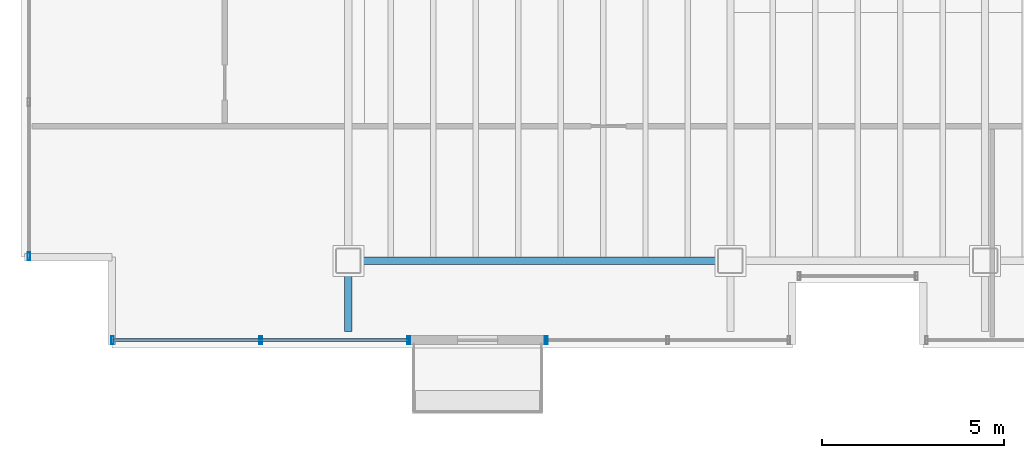
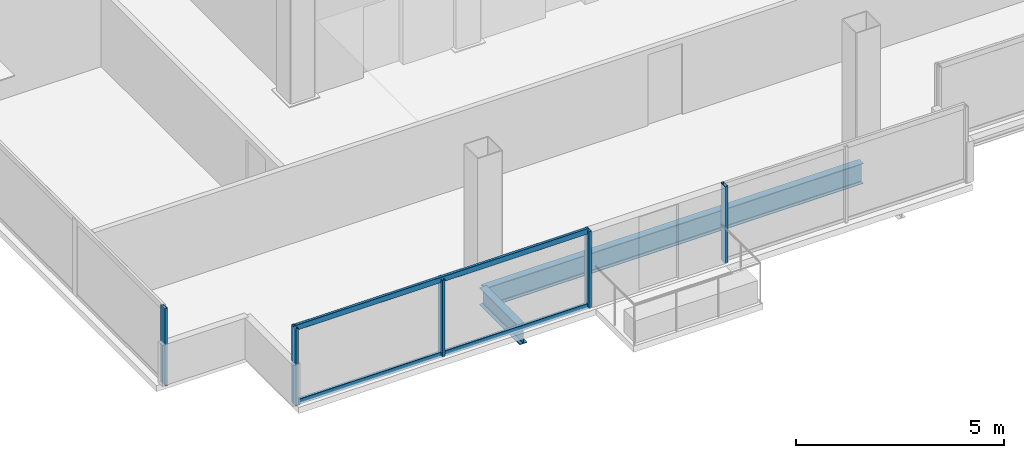
# One storey, part 2 of 16: 7 members, 2 beams, 3 elements without a shape of their own.
"""IFC4 building model written with IfcOpenShell, lengths in metres."""

import ifcopenshell
import ifcopenshell.guid

model = None  # the IFC model being written
_history = None  # IfcOwnerHistory: only IFC2X3 demands one
_inside = {}  # id of a spatial element -> (the spatial element, [elements in it])
_under = {}  # id of a project, library or spatial element -> (it, [spatial elements below it])
_declared = {}  # id of a project -> (the project, [libraries it declares])
_typed = {}  # id of a type object -> (the type object, [elements of that type])
_made_of = {}  # id of a material, layer set ... -> (it, [elements and type objects made of it])


def new_model(schema):
    """Start an empty IFC model of exactly this schema.

    Asked for "IFC4X3", IfcOpenShell would pick the latest addendum, in which some entities
    have other attributes; the version numbers below select the first issue.
    IFC2X3 requires an IfcOwnerHistory on every rooted entity: one is made here for all.
    """
    global model, _history
    if schema == "IFC4X3":
        model = ifcopenshell.file(schema_version=(4, 3, 0, 0))
    else:
        model = ifcopenshell.file(schema=schema)
    _inside.clear()
    _under.clear()
    _declared.clear()
    _typed.clear()
    _made_of.clear()
    _history = None
    if model.schema == "IFC2X3":
        org = make("IfcOrganization", Name="unknown")
        user = make(
            "IfcPersonAndOrganization",
            ThePerson=make("IfcPerson", FamilyName="unknown"),
            TheOrganization=org,
        )
        app = make(
            "IfcApplication",
            ApplicationDeveloper=org,
            Version="unknown",
            ApplicationFullName="unknown",
            ApplicationIdentifier="unknown",
        )
        _history = make(
            "IfcOwnerHistory",
            OwningUser=user,
            OwningApplication=app,
            ChangeAction="ADDED",
            CreationDate=0,
        )
    return model


def make(cls, **values):
    """One entity of the class cls with the attributes given. An attribute that is None is left unset."""
    return model.create_entity(
        cls, **{name: value for name, value in values.items() if value is not None}
    )


def rooted(cls, **values):
    """An entity with a GlobalId (a new one), such as an element, a storey or a relation."""
    return make(cls, GlobalId=ifcopenshell.guid.new(), OwnerHistory=_history, **values)


def si_unit(unit_type, name, prefix=None):
    """IfcSIUnit, for example si_unit("LENGTHUNIT", "METRE", prefix="MILLI")."""
    return make("IfcSIUnit", UnitType=unit_type, Prefix=prefix, Name=name)


def assignment(units):
    """IfcUnitAssignment: the units of a project."""
    return None if units is None else make("IfcUnitAssignment", Units=units)


def point(xyz):
    """IfcCartesianPoint."""
    return None if xyz is None else make("IfcCartesianPoint", Coordinates=xyz)


def direction(xyz):
    """IfcDirection."""
    return None if xyz is None else make("IfcDirection", DirectionRatios=xyz)


def frame(location, z_axis=None, x_axis=None):
    """IfcAxis2Placement3D, a coordinate frame: its origin and axes. An axis left out is left unset."""
    return make(
        "IfcAxis2Placement3D",
        Location=point(location),
        Axis=direction(z_axis),
        RefDirection=direction(x_axis),
    )


def frame_2d(location, x_axis=None):
    """IfcAxis2Placement2D, a coordinate frame in the plane: its origin and x axis."""
    return make(
        "IfcAxis2Placement2D", Location=point(location), RefDirection=direction(x_axis)
    )


def origin():
    """The frame at (0, 0, 0) with its axes left unset."""
    return frame((0.0, 0.0, 0.0))


def origin_2d():
    """The frame at (0, 0) in the plane with its x axis left unset."""
    return frame_2d((0.0, 0.0))


def place(relative_to, where):
    """IfcLocalPlacement: puts the frame where relative to a parent placement (None: the world)."""
    return make(
        "IfcLocalPlacement", PlacementRelTo=relative_to, RelativePlacement=where
    )


def context(
    kind, dimensions, precision=None, world=None, true_north=None, identifier=None
):
    """IfcGeometricRepresentationContext, for example the 3D "Model" context."""
    return make(
        "IfcGeometricRepresentationContext",
        ContextIdentifier=identifier,
        ContextType=kind,
        CoordinateSpaceDimension=dimensions,
        Precision=precision,
        WorldCoordinateSystem=world,
        TrueNorth=true_north,
    )


def subcontext(parent, identifier, kind, view, scale=None):
    """IfcGeometricRepresentationSubContext, for example "Body" below "Model"."""
    return make(
        "IfcGeometricRepresentationSubContext",
        ContextIdentifier=identifier,
        ContextType=kind,
        ParentContext=parent,
        TargetScale=scale,
        TargetView=view,
    )


def project(units=None, contexts=None):
    """IfcProject with its units and contexts."""
    return rooted(
        "IfcProject",
        Name="project",
        RepresentationContexts=contexts,
        UnitsInContext=assignment(units),
    )


def spatial(cls, under=None, at=None, **own):
    """A site, building, storey or space (cls), placed at a placement, below another one or the project."""
    s = rooted(cls, ObjectPlacement=at, **own)
    if under is not None:
        _under.setdefault(under.id(), (under, []))[1].append(s)
    return s


def profile(cls, at=None, kind="AREA", **sizes):
    """A parametric profile (cls). Its sizes go by their IFC names, for example OverallWidth=200.0."""
    return make(cls, ProfileType=kind, Position=at, **sizes)


def hollow_rectangle(**sizes):
    """IfcRectangleHollowProfileDef."""
    return profile("IfcRectangleHollowProfileDef", **sizes)


def i_section(**sizes):
    """IfcIShapeProfileDef."""
    return profile("IfcIShapeProfileDef", **sizes)


def extrude(swept, where, along, depth):
    """IfcExtrudedAreaSolid: the profile swept, set in the frame where, extruded along a direction by depth."""
    return make(
        "IfcExtrudedAreaSolid",
        SweptArea=swept,
        Position=where,
        ExtrudedDirection=direction(along),
        Depth=depth,
    )


def shape(context_of_items, identifier, shape_type, items):
    """IfcShapeRepresentation: the items that make up one representation, for example the "Body"."""
    return make(
        "IfcShapeRepresentation",
        ContextOfItems=context_of_items,
        RepresentationIdentifier=identifier,
        RepresentationType=shape_type,
        Items=items,
    )


def material(Name=None, Category=None):
    """IfcMaterial."""
    return make("IfcMaterial", Name=Name, Category=Category)


def material_profile(
    of_material, cross_section, Name=None, Category=None, Priority=None
):
    """IfcMaterialProfile: a cross section and its material."""
    return make(
        "IfcMaterialProfile",
        Name=Name,
        Material=of_material,
        Profile=cross_section,
        Priority=Priority,
        Category=Category,
    )


def profile_set(profiles, Name=None, composite=None):
    """IfcMaterialProfileSet."""
    return make(
        "IfcMaterialProfileSet",
        Name=Name,
        MaterialProfiles=profiles,
        CompositeProfile=composite,
    )


def made_of(thing, what):
    """Note that an element or type object is made of a material, layer set ...; save() writes the relation."""
    if what is not None:
        _made_of.setdefault(what.id(), (what, []))[1].append(thing)
    return thing


def type_object(cls, material=None, **own):
    """A type object (cls), such as IfcWallType, which elements share."""
    return made_of(rooted(cls, **own), material)


def element(
    cls,
    number,
    at=None,
    inside=None,
    cuts=None,
    type_object=None,
    material=None,
    context=None,
    identifier="Body",
    shape_type=None,
    held_by="IfcProductDefinitionShape",
    body=None,
    shapes=None,
    **own,
):
    """One element of the class cls, such as IfcWall. Its Tag is "e" and its number.

    at: its placement. inside: the storey or other place that contains it. cuts: it is an
    opening in that element (IfcRelVoidsElement). A single representation is given by context,
    identifier, shape_type and body (its items); several are given by shapes. held_by: the class
    of the entity that holds the representations. save() writes the other relations.
    """
    e = rooted(cls, Tag="e%d" % number, ObjectPlacement=at, **own)
    if body is not None:
        shapes = [shape(context, identifier, shape_type, body)]
    if shapes is not None:
        e.Representation = make(held_by, Representations=shapes)
    if inside is not None:
        _inside.setdefault(inside.id(), (inside, []))[1].append(e)
    if cuts is not None:
        rooted(
            "IfcRelVoidsElement", RelatingBuildingElement=cuts, RelatedOpeningElement=e
        )
    if type_object is not None:
        _typed.setdefault(type_object.id(), (type_object, []))[1].append(e)
    return made_of(e, material)


def aggregate(whole, parts):
    """IfcRelAggregates: a whole, such as a stair, and the parts it consists of."""
    return rooted("IfcRelAggregates", RelatingObject=whole, RelatedObjects=parts)


def save(model, path):
    """Write the relations noted so far, then the file.

    IfcRelAggregates (storeys below a building ...), IfcRelContainedInSpatialStructure (elements
    in a storey), IfcRelDefinesByType, IfcRelAssociatesMaterial and IfcRelDeclares: one each for
    every whole, place, type object, material and project.
    """
    for whole, parts in _under.values():
        aggregate(whole, parts)
    for where, things in _inside.values():
        rooted(
            "IfcRelContainedInSpatialStructure",
            RelatedElements=things,
            RelatingStructure=where,
        )
    for kind, things in _typed.values():
        rooted("IfcRelDefinesByType", RelatedObjects=things, RelatingType=kind)
    for what, things in _made_of.values():
        rooted("IfcRelAssociatesMaterial", RelatedObjects=things, RelatingMaterial=what)
    for by, libraries in _declared.values():
        rooted("IfcRelDeclares", RelatingContext=by, RelatedDefinitions=libraries)
    model.write(path)


model = new_model("IFC4")

# Units and contexts
model_context = context("Model", 3, precision=1e-05, world=origin(), true_north=direction((0.0, 1.0)))
body_context = subcontext(model_context, "Body", "Model", "MODEL_VIEW")
ifc_project = project(units=[si_unit("LENGTHUNIT", "METRE"), si_unit("AREAUNIT", "SQUARE_METRE"), si_unit("VOLUMEUNIT", "CUBIC_METRE"), si_unit("PLANEANGLEUNIT", "RADIAN"), si_unit("MASSUNIT", "GRAM", prefix="KILO")], contexts=[model_context])

# Site, building, storey
site_placement = place(None, origin())
site = spatial("IfcSite", under=ifc_project, at=site_placement, CompositionType="ELEMENT")
building_placement = place(site_placement, origin())
building = spatial("IfcBuilding", under=site, at=building_placement, Name="Noeulbin Bourse Tower", CompositionType="ELEMENT")
storey_placement = place(building_placement, frame((0.0, 0.0, 277.39990234375)))
storey = spatial("IfcBuildingStorey", under=building, at=storey_placement, Name="L69", CompositionType="ELEMENT", Elevation=277.39990234375)

# Beams
ifc_material_1 = material(Name="Steel S355", Category="steel")
ifc_material_profile_1 = material_profile(ifc_material_1, i_section(OverallWidth=0.199951171875, OverallDepth=0.5, WebThickness=0.010009765625, FlangeThickness=0.01611328125, FilletRadius=0.02001953125, at=origin_2d()), Name="H-500x200x10x16", Category="LoadBearing")
ifc_profile_set_1 = profile_set([ifc_material_profile_1], Name="Steel S355")
beam_type_1 = type_object("IfcBeamType", Name="BM-GRD-500", PredefinedType="USERDEFINED", material=ifc_profile_set_1)
beam_1_placement = place(storey_placement, frame((13.5, 18.050048828125, -0.429931640625), z_axis=(0.0, 1.0, 0.0), x_axis=(-1.0, 0.0, 0.0)))
element("IfcBeam", 1, at=beam_1_placement, inside=storey, type_object=beam_type_1, Name="Tower Primary Girder NS L69-1.1", ObjectType="GIRDER", PredefinedType="USERDEFINED", context=body_context, shape_type="SweptSolid", body=[
    extrude(i_section(OverallWidth=0.199951171875, OverallDepth=0.5, WebThickness=0.010009765625, FlangeThickness=0.01611328125, FilletRadius=0.02001953125, at=origin_2d()), origin(), (0.0, 0.0, 1.0), 1.949951171875),
])
ifc_material_profile_2 = material_profile(ifc_material_1, i_section(OverallWidth=0.199951171875, OverallDepth=0.60009765625, WebThickness=0.010986328125, FlangeThickness=0.01708984375, FilletRadius=0.02197265625, at=origin_2d()), Name="H-600x200x11x17", Category="LoadBearing")
ifc_profile_set_2 = profile_set([ifc_material_profile_2], Name="Steel S355")
beam_type_2 = type_object("IfcBeamType", Name="BM-GRD-600", PredefinedType="USERDEFINED", material=ifc_profile_set_2)
beam_2_placement = place(storey_placement, frame((13.5, 20.0, -0.47998046875), z_axis=(1.0, 0.0, 0.0), x_axis=(0.0, 1.0, 0.0)))
element("IfcBeam", 2, at=beam_2_placement, inside=storey, type_object=beam_type_2, Name="Tower Primary Girder EW L69-1.1", ObjectType="GIRDER", PredefinedType="USERDEFINED", context=body_context, shape_type="SweptSolid", body=[
    extrude(i_section(OverallWidth=0.199951171875, OverallDepth=0.60009765625, WebThickness=0.010986328125, FlangeThickness=0.01708984375, FilletRadius=0.02197265625, at=origin_2d()), origin(), (0.0, 0.0, 1.0), 10.5),
])

# Curtain wall, members
ifc_material_2 = material(Name="High-Selectivity Low-Iron Glazing", Category="glass")
curtain_wall_type = type_object("IfcCurtainWallType", Name="CW-SYS-4", PredefinedType="NOTDEFINED", material=ifc_material_2)
curtain_wall_1_placement = place(storey_placement, origin())
curtain_wall_1 = element("IfcCurtainWall", 3, at=curtain_wall_1_placement, inside=storey, type_object=curtain_wall_type, Name="Unitised Curtain Wall CW-L69-S1", PredefinedType="NOTDEFINED")
ifc_material_3 = material(Name="Anodised Aluminium 6063-T6", Category="aluminium")
ifc_material_profile_3 = material_profile(ifc_material_3, hollow_rectangle(XDim=0.074951171875, YDim=0.219970703125, WallThickness=0.0048828125, InnerFilletRadius=0.00244140625, OuterFilletRadius=0.0048828125, at=origin_2d()), Name="ALU-MULL-75x220x5", Category="LoadBearing")
ifc_profile_set_3 = profile_set([ifc_material_profile_3], Name="Anodised Aluminium 6063-T6")
member_type_1 = type_object("IfcMemberType", Name="CW-SYS-4-MUL", PredefinedType="MULLION", material=ifc_profile_set_3)
member_1_placement = place(storey_placement, frame((7.02001953125, 17.820068359375, -0.02001953125), z_axis=(0.0, 0.0, 1.0), x_axis=(1.0, 0.0, 0.0)))
member_1 = element("IfcMember", 4, at=member_1_placement, type_object=member_type_1, Name="Curtain Wall Mullion CW-L69-S1-M00", PredefinedType="MULLION", context=body_context, shape_type="SweptSolid", body=[
    extrude(hollow_rectangle(XDim=0.074951171875, YDim=0.219970703125, WallThickness=0.0048828125, InnerFilletRadius=0.00244140625, OuterFilletRadius=0.0048828125, at=origin_2d()), origin(), (0.0, 0.0, 1.0), 2.260009765625),
])
member_2_placement = place(storey_placement, frame((11.090087890625, 17.820068359375, -0.02001953125), z_axis=(0.0, 0.0, 1.0), x_axis=(1.0, 0.0, 0.0)))
member_2 = element("IfcMember", 5, at=member_2_placement, type_object=member_type_1, Name="Curtain Wall Mullion CW-L69-S1-M01", PredefinedType="MULLION", context=body_context, shape_type="SweptSolid", body=[
    extrude(hollow_rectangle(XDim=0.074951171875, YDim=0.219970703125, WallThickness=0.0048828125, InnerFilletRadius=0.00244140625, OuterFilletRadius=0.0048828125, at=origin_2d()), origin(), (0.0, 0.0, 1.0), 2.260009765625),
])
member_3_placement = place(storey_placement, frame((15.159912109375, 17.820068359375, -0.02001953125), z_axis=(0.0, 0.0, 1.0), x_axis=(1.0, 0.0, 0.0)))
member_3 = element("IfcMember", 6, at=member_3_placement, type_object=member_type_1, Name="Curtain Wall Mullion CW-L69-S1-M02", PredefinedType="MULLION", context=body_context, shape_type="SweptSolid", body=[
    extrude(hollow_rectangle(XDim=0.074951171875, YDim=0.219970703125, WallThickness=0.0048828125, InnerFilletRadius=0.00244140625, OuterFilletRadius=0.0048828125, at=origin_2d()), origin(), (0.0, 0.0, 1.0), 2.260009765625),
])

# Curtain wall, member
curtain_wall_2_placement = place(storey_placement, origin())
curtain_wall_2 = element("IfcCurtainWall", 7, at=curtain_wall_2_placement, inside=storey, type_object=curtain_wall_type, Name="Unitised Curtain Wall CW-L69-S2", PredefinedType="NOTDEFINED")
member_4_placement = place(storey_placement, frame((18.93994140625, 17.820068359375, -0.02001953125), z_axis=(0.0, 0.0, 1.0), x_axis=(1.0, 0.0, 0.0)))
member_4 = element("IfcMember", 8, at=member_4_placement, type_object=member_type_1, Name="Curtain Wall Mullion CW-L69-S2-M00", PredefinedType="MULLION", context=body_context, shape_type="SweptSolid", body=[
    extrude(hollow_rectangle(XDim=0.074951171875, YDim=0.219970703125, WallThickness=0.0048828125, InnerFilletRadius=0.00244140625, OuterFilletRadius=0.0048828125, at=origin_2d()), origin(), (0.0, 0.0, 1.0), 2.260009765625),
])
aggregate(curtain_wall_2, [member_4])

curtain_wall_3_placement = place(storey_placement, origin())
curtain_wall_3 = element("IfcCurtainWall", 9, at=curtain_wall_3_placement, inside=storey, type_object=curtain_wall_type, Name="Unitised Curtain Wall CW-L69-W-S1", PredefinedType="NOTDEFINED")
member_5_placement = place(storey_placement, frame((4.719970703125, 20.1201171875, -0.02001953125), z_axis=(0.0, 0.0, 1.0), x_axis=(1.0, 0.0, 0.0)))
member_5 = element("IfcMember", 10, at=member_5_placement, type_object=member_type_1, Name="Curtain Wall Mullion CW-L69-W-S1-M00", PredefinedType="MULLION", context=body_context, shape_type="SweptSolid", body=[
    extrude(hollow_rectangle(XDim=0.074951171875, YDim=0.219970703125, WallThickness=0.0048828125, InnerFilletRadius=0.00244140625, OuterFilletRadius=0.0048828125, at=origin_2d()), origin(), (0.0, 0.0, 1.0), 2.260009765625),
])
aggregate(curtain_wall_3, [member_5])

# Member
ifc_material_profile_4 = material_profile(ifc_material_3, hollow_rectangle(XDim=0.074951171875, YDim=0.159912109375, WallThickness=0.0048828125, InnerFilletRadius=0.00244140625, OuterFilletRadius=0.0048828125, at=origin_2d()), Name="ALU-TRAN-75x160x5", Category="LoadBearing")
ifc_profile_set_4 = profile_set([ifc_material_profile_4], Name="Anodised Aluminium 6063-T6")
member_type_2 = type_object("IfcMemberType", Name="CW-SYS-4-TRN", PredefinedType="USERDEFINED", material=ifc_profile_set_4)
member_6_placement = place(storey_placement, frame((7.030029296875, 17.820068359375, 0.010009765625), z_axis=(1.0, 0.0, 0.0), x_axis=(0.0, 1.0, 0.0)))
member_6 = element("IfcMember", 11, at=member_6_placement, type_object=member_type_2, Name="Curtain Wall Transom CW-L69-S1-T00", ObjectType="TRANSOM", PredefinedType="USERDEFINED", context=body_context, shape_type="SweptSolid", body=[
    extrude(hollow_rectangle(XDim=0.074951171875, YDim=0.159912109375, WallThickness=0.0048828125, InnerFilletRadius=0.00244140625, OuterFilletRadius=0.0048828125, at=origin_2d()), origin(), (0.0, 0.0, 1.0), 8.119873046875),
])

member_7_placement = place(storey_placement, frame((7.030029296875, 17.820068359375, 2.210205078125), z_axis=(1.0, 0.0, 0.0), x_axis=(0.0, 1.0, 0.0)))
member_7 = element("IfcMember", 12, at=member_7_placement, type_object=member_type_2, Name="Curtain Wall Transom CW-L69-S1-T01", ObjectType="TRANSOM", PredefinedType="USERDEFINED", context=body_context, shape_type="SweptSolid", body=[
    extrude(hollow_rectangle(XDim=0.074951171875, YDim=0.159912109375, WallThickness=0.0048828125, InnerFilletRadius=0.00244140625, OuterFilletRadius=0.0048828125, at=origin_2d()), origin(), (0.0, 0.0, 1.0), 8.119873046875),
])

aggregate(curtain_wall_1, [member_1, member_2, member_3, member_6, member_7])

save(model, "model.ifc")
